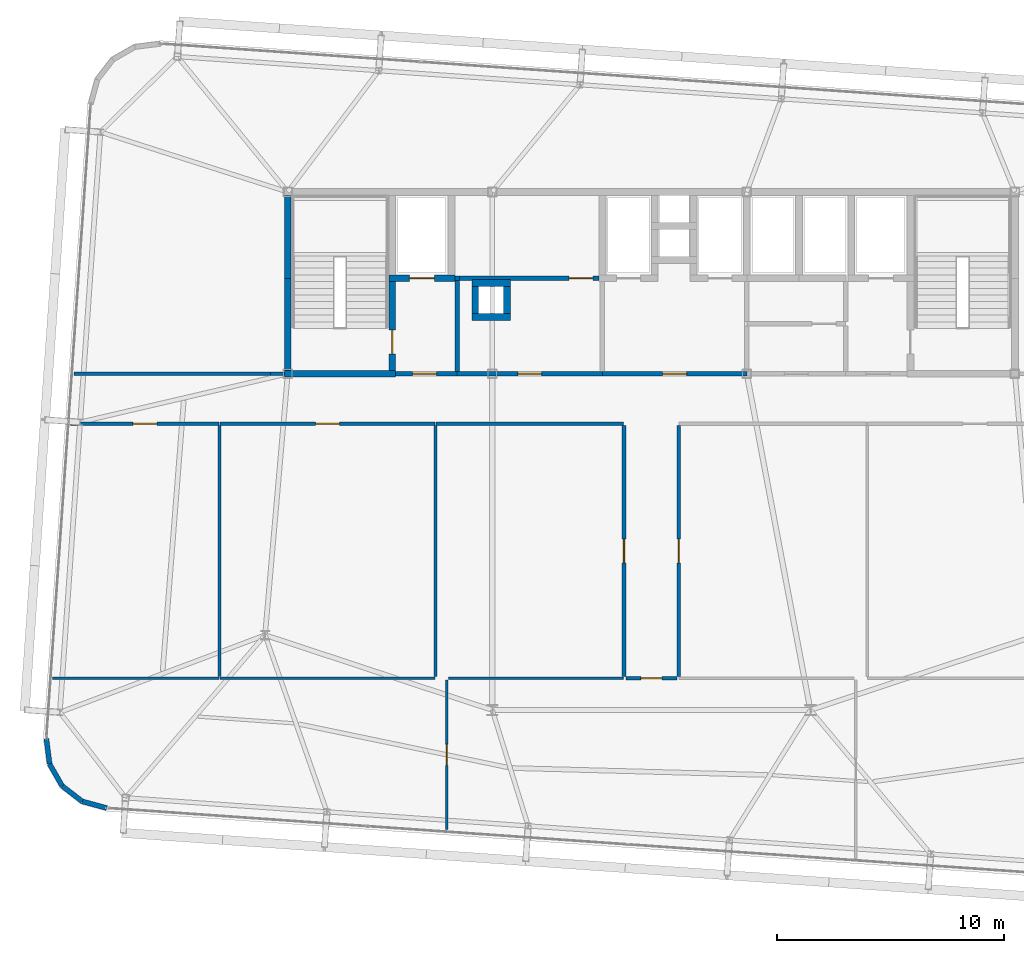
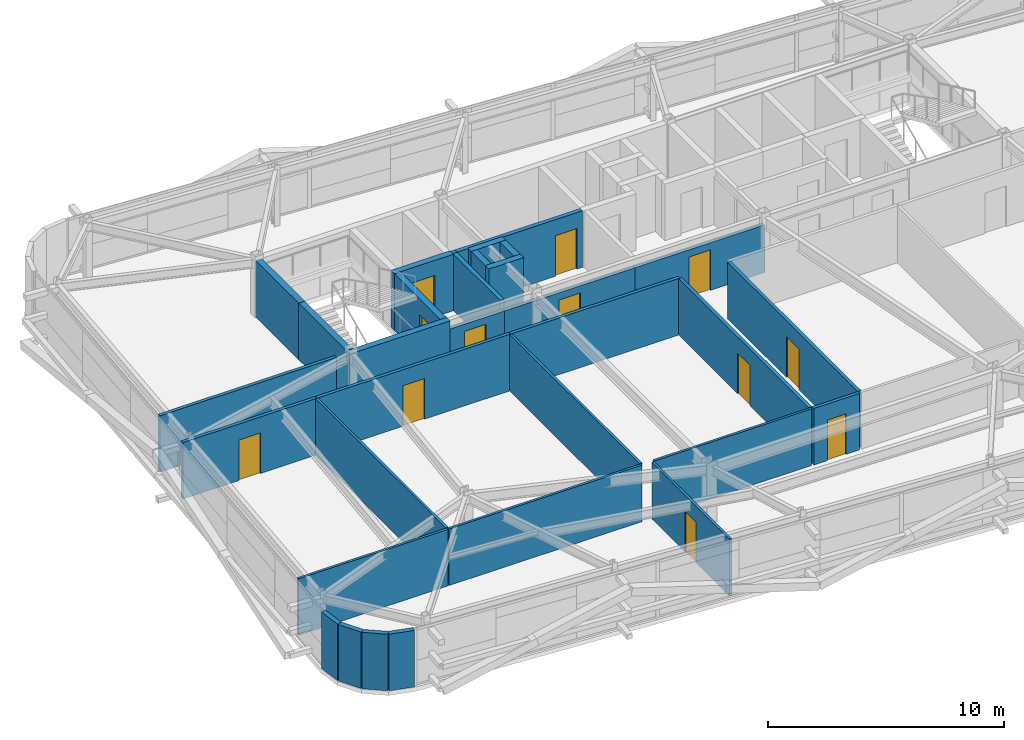
# One storey, part 35 of 39: 33 walls, 12 doors, 12 openings.
"""IFC4 building model written with IfcOpenShell, lengths in metres."""

from ifc_helpers import new_model, si_unit, direction, frame, frame_2d, origin, place, context, subcontext, project, spatial, rectangle, extrude, source, transform, mapped, material, layer, layer_set, type_object, element, fill, save


model = new_model("IFC4")

# Units and contexts
model_context = context("Model", 3, precision=1e-05, world=origin(), true_north=direction((0.0, 1.0)))
body_context = subcontext(model_context, "Body", "Model", "MODEL_VIEW")
ifc_project = project(units=[si_unit("LENGTHUNIT", "METRE"), si_unit("AREAUNIT", "SQUARE_METRE"), si_unit("VOLUMEUNIT", "CUBIC_METRE"), si_unit("PLANEANGLEUNIT", "RADIAN"), si_unit("MASSUNIT", "GRAM", prefix="KILO")], contexts=[model_context])

# Site, building, storey
site_placement = place(None, origin())
site = spatial("IfcSite", under=ifc_project, at=site_placement, CompositionType="ELEMENT")
building_placement = place(site_placement, origin())
building = spatial("IfcBuilding", under=site, at=building_placement, Name="Taldren Reach Tower", CompositionType="ELEMENT")
storey_placement = place(building_placement, frame((0.0, 0.0, 126.699951171875)))
storey = spatial("IfcBuildingStorey", under=building, at=storey_placement, Name="L38", CompositionType="ELEMENT", Elevation=126.699951171875)

# Walls
ifc_material_1 = material(Name="Pale Champagne Anodised Aluminium Cladding", Category="aluminium")
ifc_layer_1 = layer(ifc_material_1, 0.04, Name="Pale Champagne Anodised Aluminium Cladding", Category="aluminium")
ifc_material_2 = material(Name="Mineral Wool Acoustic Insulation", Category="insulation")
ifc_layer_2 = layer(ifc_material_2, 0.06, Name="Mineral Wool Acoustic Insulation", Category="insulation")
ifc_material_3 = material(Name="Steel Gr 350 (C350L0)", Category="steel")
ifc_layer_3 = layer(ifc_material_3, 0.12, Name="Steel Gr 350 (C350L0)", Category="steel")
ifc_layer_set_1 = layer_set([ifc_layer_1, ifc_layer_2, ifc_layer_3], Name="Pale Champagne Aluminium Cladding and Steel Gr 350 Stud Framing")
wall_type_1 = type_object("IfcWallType", Name="EW-CRN-220", PredefinedType="SOLIDWALL", material=ifc_layer_set_1)
shared_shape_1 = source(origin(), body_context, "Body", "SweptSolid", [
    extrude(rectangle(XDim=1.115966796875, YDim=0.219970703125, at=frame_2d((0.55810546875, 0.0))), origin(), (0.0, 0.0, 1.0), 2.929931640625),
])
for number, where, z_axis, x_axis, name in (
    (1, (8.37646484375, 7.93798828125, 0.0), (0.0, 0.0, 1.0), (0.126242535829, -0.991999406324, 0.0), "Rounded-corner pale-metal facade wall L38-SW1"),
    (2, (8.517333984375, 6.8310546875, 0.0), (0.0, 0.0, 1.0), (0.496138938357, -0.868243142124, 0.0), "Rounded-corner pale-metal facade wall L38-SW2"),
    (3, (9.071044921875, 5.862060546875, 0.0), (0.0, 0.0, 1.0), (0.790716874741, -0.612182018684, 0.0), "Rounded-corner pale-metal facade wall L38-SW3"),
    (4, (9.953369140625, 5.178955078125, 0.0), (0.0, 0.0, 1.0), (0.964804199372, -0.262969307856, 0.0), "Rounded-corner pale-metal facade wall L38-SW4"),
):
    element("IfcWall", number, at=place(storey_placement, frame(where, z_axis=z_axis, x_axis=x_axis)), inside=storey, type_object=wall_type_1, Name=name, PredefinedType="SOLIDWALL", context=body_context, shape_type="MappedRepresentation", body=[
        mapped(shared_shape_1, transform((0.0, 0.0, 0.0), scale=1.0)),
    ])
ifc_material_4 = material(Name="Concrete S65 (65 MPa)", Category="concrete")
ifc_layer_4 = layer(ifc_material_4, 0.300048828125)
ifc_layer_set_2 = layer_set([ifc_layer_4], Name="Concrete S65 (65 MPa)")
wall_type_2 = type_object("IfcWallType", Name="IW-CORE-300", PredefinedType="SHEAR", material=ifc_layer_set_2)
shared_shape_2 = source(origin(), body_context, "Body", "SweptSolid", [
    extrude(rectangle(XDim=4.050048828125, YDim=0.300048828125, at=frame_2d((2.02490234375, 0.0))), origin(), (0.0, 0.0, 1.0), 2.929931640625),
])
wall_1_placement = place(storey_placement, frame((19.0, 24.14990234375, 0.0), z_axis=(0.0, 0.0, 1.0), x_axis=(0.0, 1.0, 0.0)))
element("IfcWall", 5, at=wall_1_placement, inside=storey, type_object=wall_type_2, Name="Rear Core Shear Wall W-CORE-L38-WEST1", PredefinedType="SHEAR", context=body_context, shape_type="MappedRepresentation", body=[
    mapped(shared_shape_2, transform((0.0, 0.0, 0.0), scale=1.0)),
])
shared_shape_3 = source(origin(), body_context, "Body", "SweptSolid", [
    extrude(rectangle(XDim=3.650146484375, YDim=0.300048828125, at=frame_2d((1.8251953125, 0.0))), origin(), (0.0, 0.0, 1.0), 2.929931640625),
])
wall_2_placement = place(storey_placement, frame((19.0, 28.199951171875, 0.0), z_axis=(0.0, 0.0, 1.0), x_axis=(0.0, 1.0, 0.0)))
element("IfcWall", 6, at=wall_2_placement, inside=storey, type_object=wall_type_2, Name="Rear Core Shear Wall W-CORE-L38-WEST2", PredefinedType="SHEAR", context=body_context, shape_type="MappedRepresentation", body=[
    mapped(shared_shape_3, transform((0.0, 0.0, 0.0), scale=1.0)),
])

# Wall, opening, door
shared_shape_4 = source(origin(), body_context, "Body", "SweptSolid", [
    extrude(rectangle(XDim=3.900146484375, YDim=0.300048828125, at=frame_2d((1.9501953125, 0.0))), origin(), (0.0, 0.0, 1.0), 2.929931640625),
])
wall_3_placement = place(storey_placement, frame((23.60009765625, 24.14990234375, 0.0), z_axis=(0.0, 0.0, 1.0), x_axis=(0.0, 1.0, 0.0)))
wall_3 = element("IfcWall", 7, at=wall_3_placement, inside=storey, type_object=wall_type_2, Name="Rear Core Shear Wall W-INT-L38-002", PredefinedType="SHEAR", context=body_context, shape_type="MappedRepresentation", body=[
    mapped(shared_shape_4, transform((0.0, 0.0, 0.0), scale=1.0)),
])
shared_shape_5 = source(origin(), body_context, "Body", "SweptSolid", [
    extrude(rectangle(XDim=1.050048828125, YDim=2.10009765625, at=frame_2d((0.52490234375, 1.050048828125))), frame((0.0, 0.16015625, 0.0), z_axis=(0.0, -1.0, 0.0), x_axis=(1.0, 0.0, 0.0)), (0.0, 0.0, 1.0), 0.320068359375),
])
opening_1_placement = place(wall_3_placement, frame((0.72509765625, 0.0, 0.0)))
opening_1 = element("IfcOpeningElement", 8, at=opening_1_placement, cuts=wall_3, Name="Opening DF-105", PredefinedType="OPENING", context=body_context, shape_type="MappedRepresentation", body=[
    mapped(shared_shape_5, transform((0.0, 0.0, 0.0), scale=1.0)),
])
ifc_material_5 = material(Name="Fire-Rated Care and Stair Exit Door")
door_type_1 = type_object("IfcDoorType", Name="ID-FIRE-105", OperationType="NOTDEFINED", PredefinedType="DOOR", material=ifc_material_5)
shared_shape_6 = source(origin(), body_context, "Body", "SweptSolid", [
    extrude(rectangle(XDim=1.050048828125, YDim=2.10009765625, at=frame_2d((0.52490234375, 1.050048828125))), frame((0.0, 0.02490234375, 0.0), z_axis=(0.0, -1.0, 0.0), x_axis=(1.0, 0.0, 0.0)), (0.0, 0.0, 1.0), 0.050048828125),
])
door_1_placement = place(opening_1_placement, origin())
door_1 = element("IfcDoor", 9, at=door_1_placement, inside=storey, type_object=door_type_1, Name="Fire Exit Stair Door DR-L38-001", OperationType="SINGLE_SWING_LEFT", OverallHeight=2.10009765625, OverallWidth=1.050048828125, PredefinedType="DOOR", context=body_context, shape_type="MappedRepresentation", body=[
    mapped(shared_shape_6, transform((0.0, 0.0, 0.0), scale=1.0)),
])
fill(opening_1, door_1)

# Wall
shared_shape_7 = source(origin(), body_context, "Body", "SweptSolid", [
    extrude(rectangle(XDim=4.89990234375, YDim=0.300048828125, at=frame_2d((2.449951171875, 0.0))), origin(), (0.0, 0.0, 1.0), 2.929931640625),
])
wall_4_placement = place(storey_placement, frame((18.85009765625, 24.0, 0.0), z_axis=(0.0, 0.0, 1.0), x_axis=(1.0, 0.0, 0.0)))
element("IfcWall", 10, at=wall_4_placement, inside=storey, type_object=wall_type_2, Name="Rear Core Shear Wall W-INT-L38-003", PredefinedType="SHEAR", context=body_context, shape_type="MappedRepresentation", body=[
    mapped(shared_shape_7, transform((0.0, 0.0, 0.0), scale=1.0)),
])

# Wall, opening, door
shared_shape_8 = source(origin(), body_context, "Body", "SweptSolid", [
    extrude(rectangle(XDim=2.900146484375, YDim=0.300048828125, at=frame_2d((1.4501953125, 0.0))), origin(), (0.0, 0.0, 1.0), 2.929931640625),
])
wall_5_placement = place(storey_placement, frame((23.449951171875, 28.199951171875, 0.0), z_axis=(0.0, 0.0, 1.0), x_axis=(1.0, 0.0, 0.0)))
wall_5 = element("IfcWall", 11, at=wall_5_placement, inside=storey, type_object=wall_type_2, Name="Rear Core Shear Wall W-INT-L38-004", PredefinedType="SHEAR", context=body_context, shape_type="MappedRepresentation", body=[
    mapped(shared_shape_8, transform((0.0, 0.0, 0.0), scale=1.0)),
])
shared_shape_9 = source(origin(), body_context, "Body", "SweptSolid", [
    extrude(rectangle(XDim=1.10009765625, YDim=2.14990234375, at=frame_2d((0.550048828125, 1.074951171875))), frame((0.0, 0.16015625, 0.0), z_axis=(0.0, -1.0, 0.0), x_axis=(1.0, 0.0, 0.0)), (0.0, 0.0, 1.0), 0.320068359375),
])
opening_2_placement = place(wall_5_placement, frame((0.89990234375, 0.0, 0.0)))
opening_2 = element("IfcOpeningElement", 12, at=opening_2_placement, cuts=wall_5, Name="Opening LD-FL1", PredefinedType="OPENING", context=body_context, shape_type="MappedRepresentation", body=[
    mapped(shared_shape_9, transform((0.0, 0.0, 0.0), scale=1.0)),
])
ifc_material_6 = material(Name="Stainless Steel Gr 316 Emergency Lift Landing Door", Category="steel")
door_type_2 = type_object("IfcDoorType", Name="LD-EMG-110", OperationType="SLIDING_TO_LEFT", PredefinedType="DOOR", material=ifc_material_6)
shared_shape_10 = source(origin(), body_context, "Body", "SweptSolid", [
    extrude(rectangle(XDim=1.10009765625, YDim=2.14990234375, at=frame_2d((0.550048828125, 1.074951171875))), frame((0.0, 0.02490234375, 0.0), z_axis=(0.0, -1.0, 0.0), x_axis=(1.0, 0.0, 0.0)), (0.0, 0.0, 1.0), 0.050048828125),
])
door_2_placement = place(opening_2_placement, origin())
door_2 = element("IfcDoor", 13, at=door_2_placement, inside=storey, type_object=door_type_2, Name="Lift Landing Door LD-FL1-L38", OperationType="SLIDING_TO_LEFT", OverallHeight=2.14990234375, OverallWidth=1.10009765625, PredefinedType="DOOR", context=body_context, shape_type="MappedRepresentation", body=[
    mapped(shared_shape_10, transform((0.0, 0.0, 0.0), scale=1.0)),
])
fill(opening_2, door_2)

ifc_material_7 = material(Name="Concrete S50 (50 MPa)", Category="concrete")
ifc_layer_5 = layer(ifc_material_7, 0.199951171875)
ifc_layer_set_3 = layer_set([ifc_layer_5], Name="Concrete S50 (50 MPa)")
wall_type_3 = type_object("IfcWallType", Name="IW-CORE-200", PredefinedType="SOLIDWALL", material=ifc_layer_set_3)
shared_shape_11 = source(origin(), body_context, "Body", "SweptSolid", [
    extrude(rectangle(XDim=2.699951171875, YDim=0.199951171875, at=frame_2d((1.35009765625, 0.0))), origin(), (0.0, 0.0, 1.0), 2.469970703125),
])
wall_6_placement = place(storey_placement, frame((23.75, 24.0, 0.0), z_axis=(0.0, 0.0, 1.0), x_axis=(1.0, 0.0, 0.0)))
wall_6 = element("IfcWall", 14, at=wall_6_placement, inside=storey, type_object=wall_type_3, Name="Rear Core Shear Wall W-INT-L38-007", PredefinedType="SOLIDWALL", context=body_context, shape_type="MappedRepresentation", body=[
    mapped(shared_shape_11, transform((0.0, 0.0, 0.0), scale=1.0)),
])
shared_shape_12 = source(origin(), body_context, "Body", "SweptSolid", [
    extrude(rectangle(XDim=1.050048828125, YDim=2.10009765625, at=frame_2d((0.52490234375, 1.050048828125))), frame((0.0, 0.10986328125, 0.0), z_axis=(0.0, -1.0, 0.0), x_axis=(1.0, 0.0, 0.0)), (0.0, 0.0, 1.0), 0.219970703125),
])
opening_3_placement = place(wall_6_placement, frame((0.75, 0.0, 0.0)))
opening_3 = element("IfcOpeningElement", 15, at=opening_3_placement, cuts=wall_6, Name="Opening DF-105", PredefinedType="OPENING", context=body_context, shape_type="MappedRepresentation", body=[
    mapped(shared_shape_12, transform((0.0, 0.0, 0.0), scale=1.0)),
])
door_3_placement = place(opening_3_placement, origin())
door_3 = element("IfcDoor", 16, at=door_3_placement, inside=storey, type_object=door_type_1, Name="Interior Door DR-L38-002", OperationType="SINGLE_SWING_LEFT", OverallHeight=2.10009765625, OverallWidth=1.050048828125, PredefinedType="DOOR", context=body_context, shape_type="MappedRepresentation", body=[
    mapped(shared_shape_6, transform((0.0, 0.0, 0.0), scale=1.0)),
])
fill(opening_3, door_3)

# Walls
shared_shape_13 = source(origin(), body_context, "Body", "SweptSolid", [
    extrude(rectangle(XDim=1.2001953125, YDim=0.300048828125, at=frame_2d((0.60009765625, 0.0))), origin(), (0.0, 0.0, 1.0), 2.929931640625),
])
for number, where, z_axis, x_axis, name in (
    (17, (28.64990234375, 26.64990234375, 0.0), (0.0, 0.0, 1.0), (0.0, 1.0, 0.0), "Rear Core Shear Wall W-INT-L38-022"),
    (18, (27.25, 27.85009765625, 0.0), (0.0, 0.0, 1.0), (0.0, -1.0, 0.0), "Rear Core Shear Wall W-INT-L38-023"),
):
    element("IfcWall", number, at=place(storey_placement, frame(where, z_axis=z_axis, x_axis=x_axis)), inside=storey, type_object=wall_type_2, Name=name, PredefinedType="SHEAR", context=body_context, shape_type="MappedRepresentation", body=[
        mapped(shared_shape_13, transform((0.0, 0.0, 0.0), scale=1.0)),
    ])
shared_shape_14 = source(origin(), body_context, "Body", "SweptSolid", [
    extrude(rectangle(XDim=4.0, YDim=0.199951171875, at=frame_2d((2.0, 0.0))), origin(), (0.0, 0.0, 1.0), 2.929931640625),
])
wall_7_placement = place(storey_placement, frame((26.449951171875, 24.10009765625, 0.0), z_axis=(0.0, 0.0, 1.0), x_axis=(0.0, 1.0, 0.0)))
element("IfcWall", 19, at=wall_7_placement, inside=storey, type_object=wall_type_3, Name="Rear Core Shear Wall W-INT-L38-006", PredefinedType="SOLIDWALL", context=body_context, shape_type="MappedRepresentation", body=[
    mapped(shared_shape_14, transform((0.0, 0.0, 0.0), scale=1.0)),
])
shared_shape_15 = source(origin(), body_context, "Body", "SweptSolid", [
    extrude(rectangle(XDim=1.699951171875, YDim=0.300048828125, at=frame_2d((0.85009765625, 0.0))), origin(), (0.0, 0.0, 1.0), 2.929931640625),
])
for number, where, z_axis, x_axis, name in (
    (20, (28.800048828125, 28.0, 0.0), (0.0, 0.0, 1.0), (-1.0, 0.0, 0.0), "Rear Core Shear Wall W-INT-L38-024"),
    (21, (27.10009765625, 26.5, 0.0), (0.0, 0.0, 1.0), (1.0, 0.0, 0.0), "Rear Core Shear Wall W-INT-L38-025"),
):
    element("IfcWall", number, at=place(storey_placement, frame(where, z_axis=z_axis, x_axis=x_axis)), inside=storey, type_object=wall_type_2, Name=name, PredefinedType="SHEAR", context=body_context, shape_type="MappedRepresentation", body=[
        mapped(shared_shape_15, transform((0.0, 0.0, 0.0), scale=1.0)),
    ])

# Wall, opening, door
shared_shape_16 = source(origin(), body_context, "Body", "SweptSolid", [
    extrude(rectangle(XDim=6.349853515625, YDim=0.199951171875, at=frame_2d((3.1748046875, 0.0))), origin(), (0.0, 0.0, 1.0), 2.469970703125),
])
wall_8_placement = place(storey_placement, frame((39.199951171875, 24.0, 0.0), z_axis=(0.0, 0.0, 1.0), x_axis=(-1.0, 0.0, 0.0)))
wall_8 = element("IfcWall", 22, at=wall_8_placement, inside=storey, type_object=wall_type_3, Name="Rear Core Shear Wall W-INT-L38-035", PredefinedType="SOLIDWALL", context=body_context, shape_type="MappedRepresentation", body=[
    mapped(shared_shape_16, transform((0.0, 0.0, 0.0), scale=1.0)),
])
opening_4_placement = place(wall_8_placement, frame((2.64990234375, 0.0, 0.0)))
opening_4 = element("IfcOpeningElement", 23, at=opening_4_placement, cuts=wall_8, Name="Opening DF-105", PredefinedType="OPENING", context=body_context, shape_type="MappedRepresentation", body=[
    mapped(shared_shape_12, transform((0.0, 0.0, 0.0), scale=1.0)),
])
door_4_placement = place(opening_4_placement, frame((1.050048828125, 0.0, 0.0), z_axis=(0.0, 0.0, 1.0), x_axis=(-1.0, 0.0, 0.0)))
door_4 = element("IfcDoor", 24, at=door_4_placement, inside=storey, type_object=door_type_1, Name="Interior Door DR-L38-005", OperationType="SINGLE_SWING_LEFT", OverallHeight=2.10009765625, OverallWidth=1.050048828125, PredefinedType="DOOR", context=body_context, shape_type="MappedRepresentation", body=[
    mapped(shared_shape_6, transform((0.0, 0.0, 0.0), scale=1.0)),
])
fill(opening_4, door_4)

# Walls
ifc_material_8 = material(Name="Fire-Rated Acoustic Plasterboard Stud Wall", Category="gypsum")
ifc_layer_6 = layer(ifc_material_8, 0.159912109375)
ifc_layer_set_4 = layer_set([ifc_layer_6], Name="Fire-Rated Acoustic Plasterboard Stud Wall")
wall_type_4 = type_object("IfcWallType", Name="IW-FIRE-160", PredefinedType="PARTITIONING", material=ifc_layer_set_4)
shared_shape_17 = source(origin(), body_context, "Body", "SweptSolid", [
    extrude(rectangle(XDim=8.65234375, YDim=0.159912109375, at=frame_2d((4.326171875, 0.0))), origin(), (0.0, 0.0, 1.0), 2.929931640625),
])
wall_9_placement = place(storey_placement, frame((9.584228515625, 24.0, 0.0), z_axis=(0.0, 0.0, 1.0), x_axis=(1.0, 0.0, 0.0)))
element("IfcWall", 25, at=wall_9_placement, inside=storey, type_object=wall_type_4, Name="Interior Partition Wall W-INT-L38-050", PredefinedType="PARTITIONING", context=body_context, shape_type="MappedRepresentation", body=[
    mapped(shared_shape_17, transform((0.0, 0.0, 0.0), scale=1.0)),
])
shared_shape_18 = source(origin(), body_context, "Body", "SweptSolid", [
    extrude(rectangle(XDim=0.613525390625, YDim=0.159912109375, at=frame_2d((0.306640625, 0.0))), origin(), (0.0, 0.0, 1.0), 2.469970703125),
])
wall_10_placement = place(storey_placement, frame((18.236572265625, 24.0, 0.0), z_axis=(0.0, 0.0, 1.0), x_axis=(1.0, 0.0, 0.0)))
element("IfcWall", 26, at=wall_10_placement, inside=storey, type_object=wall_type_4, Name="Interior Partition Wall W-INT-L38-050 part 2", PredefinedType="PARTITIONING", context=body_context, shape_type="MappedRepresentation", body=[
    mapped(shared_shape_18, transform((0.0, 0.0, 0.0), scale=1.0)),
])
shared_shape_19 = source(origin(), body_context, "Body", "SweptSolid", [
    extrude(rectangle(XDim=0.199951171875, YDim=0.199951171875, at=frame_2d((0.10009765625, 0.0))), origin(), (0.0, 0.0, 1.0), 2.929931640625),
])
wall_11_placement = place(storey_placement, frame((26.35009765625, 28.199951171875, 0.0), z_axis=(0.0, 0.0, 1.0), x_axis=(1.0, 0.0, 0.0)))
element("IfcWall", 27, at=wall_11_placement, inside=storey, type_object=wall_type_3, Name="Rear Core Partition Wall W-INT-L38-066", PredefinedType="SOLIDWALL", context=body_context, shape_type="MappedRepresentation", body=[
    mapped(shared_shape_19, transform((0.0, 0.0, 0.0), scale=1.0)),
])

# Wall, opening, door
shared_shape_20 = source(origin(), body_context, "Body", "SweptSolid", [
    extrude(rectangle(XDim=6.25, YDim=0.199951171875, at=frame_2d((3.125, 0.0))), origin(), (0.0, 0.0, 1.0), 2.929931640625),
])
wall_12_placement = place(storey_placement, frame((26.449951171875, 28.199951171875, 0.0), z_axis=(0.0, 0.0, 1.0), x_axis=(1.0, 0.0, 0.0)))
wall_12 = element("IfcWall", 28, at=wall_12_placement, inside=storey, type_object=wall_type_3, Name="Rear Core Shear Wall W-INT-L38-039", PredefinedType="SOLIDWALL", context=body_context, shape_type="MappedRepresentation", body=[
    mapped(shared_shape_20, transform((0.0, 0.0, 0.0), scale=1.0)),
])
opening_5_placement = place(wall_12_placement, frame((4.929931640625, 0.0, 0.0)))
opening_5 = element("IfcOpeningElement", 29, at=opening_5_placement, cuts=wall_12, Name="Opening DF-105", PredefinedType="OPENING", context=body_context, shape_type="MappedRepresentation", body=[
    mapped(shared_shape_12, transform((0.0, 0.0, 0.0), scale=1.0)),
])
door_5_placement = place(opening_5_placement, origin())
door_5 = element("IfcDoor", 30, at=door_5_placement, inside=storey, type_object=door_type_1, Name="Interior Door DR-L38-006", OperationType="SINGLE_SWING_RIGHT", OverallHeight=2.10009765625, OverallWidth=1.050048828125, PredefinedType="DOOR", context=body_context, shape_type="MappedRepresentation", body=[
    mapped(shared_shape_6, transform((0.0, 0.0, 0.0), scale=1.0)),
])
fill(opening_5, door_5)

shared_shape_21 = source(origin(), body_context, "Body", "SweptSolid", [
    extrude(rectangle(XDim=6.400146484375, YDim=0.199951171875, at=frame_2d((3.2001953125, 0.0))), origin(), (0.0, 0.0, 1.0), 2.469970703125),
])
wall_13_placement = place(storey_placement, frame((32.85009765625, 24.0, 0.0), z_axis=(0.0, 0.0, 1.0), x_axis=(-1.0, 0.0, 0.0)))
wall_13 = element("IfcWall", 31, at=wall_13_placement, inside=storey, type_object=wall_type_3, Name="Rear Core Shear Wall W-INT-L38-040", PredefinedType="SOLIDWALL", context=body_context, shape_type="MappedRepresentation", body=[
    mapped(shared_shape_21, transform((0.0, 0.0, 0.0), scale=1.0)),
])
opening_6_placement = place(wall_13_placement, frame((2.675048828125, 0.0, 0.0)))
opening_6 = element("IfcOpeningElement", 32, at=opening_6_placement, cuts=wall_13, Name="Opening DF-105", PredefinedType="OPENING", context=body_context, shape_type="MappedRepresentation", body=[
    mapped(shared_shape_12, transform((0.0, 0.0, 0.0), scale=1.0)),
])
door_6_placement = place(opening_6_placement, frame((1.050048828125, 0.0, 0.0), z_axis=(0.0, 0.0, 1.0), x_axis=(-1.0, 0.0, 0.0)))
door_6 = element("IfcDoor", 33, at=door_6_placement, inside=storey, type_object=door_type_1, Name="Interior Door DR-L38-007", OperationType="SINGLE_SWING_LEFT", OverallHeight=2.10009765625, OverallWidth=1.050048828125, PredefinedType="DOOR", context=body_context, shape_type="MappedRepresentation", body=[
    mapped(shared_shape_6, transform((0.0, 0.0, 0.0), scale=1.0)),
])
fill(opening_6, door_6)

shared_shape_22 = source(origin(), body_context, "Body", "SweptSolid", [
    extrude(rectangle(XDim=6.538330078125, YDim=0.159912109375, at=frame_2d((3.26904296875, 0.0))), origin(), (0.0, 0.0, 1.0), 2.929931640625),
])
wall_14_placement = place(storey_placement, frame((15.979736328125, 21.800048828125, 0.0), z_axis=(0.0, 0.0, 1.0), x_axis=(-1.0, 0.0, 0.0)))
wall_14 = element("IfcWall", 34, at=wall_14_placement, inside=storey, type_object=wall_type_4, Name="Interior Partition Wall W-INT-L38-043", PredefinedType="PARTITIONING", context=body_context, shape_type="MappedRepresentation", body=[
    mapped(shared_shape_22, transform((0.0, 0.0, 0.0), scale=1.0)),
])
shared_shape_23 = source(origin(), body_context, "Body", "SweptSolid", [
    extrude(rectangle(XDim=1.050048828125, YDim=2.10009765625, at=frame_2d((0.52490234375, 1.050048828125))), frame((0.0, 0.08984375, 0.0), z_axis=(0.0, -1.0, 0.0), x_axis=(1.0, 0.0, 0.0)), (0.0, 0.0, 1.0), 0.179931640625),
])
opening_7_placement = place(wall_14_placement, frame((2.744140625, 0.0, 0.0)))
opening_7 = element("IfcOpeningElement", 35, at=opening_7_placement, cuts=wall_14, Name="Opening DF-105", PredefinedType="OPENING", context=body_context, shape_type="MappedRepresentation", body=[
    mapped(shared_shape_23, transform((0.0, 0.0, 0.0), scale=1.0)),
])
door_7_placement = place(opening_7_placement, origin())
door_7 = element("IfcDoor", 36, at=door_7_placement, inside=storey, type_object=door_type_1, Name="Interior Door DR-L38-010", OperationType="SINGLE_SWING_LEFT", OverallHeight=2.10009765625, OverallWidth=1.050048828125, PredefinedType="DOOR", context=body_context, shape_type="MappedRepresentation", body=[
    mapped(shared_shape_6, transform((0.0, 0.0, 0.0), scale=1.0)),
])
fill(opening_7, door_7)

shared_shape_24 = source(origin(), body_context, "Body", "SweptSolid", [
    extrude(rectangle(XDim=9.45947265625, YDim=0.159912109375, at=frame_2d((4.729736328125, 0.0))), origin(), (0.0, 0.0, 1.0), 2.929931640625),
])
wall_15_placement = place(storey_placement, frame((25.479736328125, 21.800048828125, 0.0), z_axis=(0.0, 0.0, 1.0), x_axis=(-1.0, 0.0, 0.0)))
wall_15 = element("IfcWall", 37, at=wall_15_placement, inside=storey, type_object=wall_type_4, Name="Interior Partition Wall W-INT-L38-044", PredefinedType="PARTITIONING", context=body_context, shape_type="MappedRepresentation", body=[
    mapped(shared_shape_24, transform((0.0, 0.0, 0.0), scale=1.0)),
])
opening_8_placement = place(wall_15_placement, frame((4.20458984375, 0.0, 0.0)))
opening_8 = element("IfcOpeningElement", 38, at=opening_8_placement, cuts=wall_15, Name="Opening DF-105", PredefinedType="OPENING", context=body_context, shape_type="MappedRepresentation", body=[
    mapped(shared_shape_23, transform((0.0, 0.0, 0.0), scale=1.0)),
])
door_8_placement = place(opening_8_placement, origin())
door_8 = element("IfcDoor", 39, at=door_8_placement, inside=storey, type_object=door_type_1, Name="Interior Door DR-L38-011", OperationType="SINGLE_SWING_RIGHT", OverallHeight=2.10009765625, OverallWidth=1.050048828125, PredefinedType="DOOR", context=body_context, shape_type="MappedRepresentation", body=[
    mapped(shared_shape_6, transform((0.0, 0.0, 0.0), scale=1.0)),
])
fill(opening_8, door_8)

# Wall
shared_shape_25 = source(origin(), body_context, "Body", "SweptSolid", [
    extrude(rectangle(XDim=8.259521484375, YDim=0.159912109375, at=frame_2d((4.1298828125, 0.0))), origin(), (0.0, 0.0, 1.0), 2.929931640625),
])
wall_16_placement = place(storey_placement, frame((33.77978515625, 21.800048828125, 0.0), z_axis=(0.0, 0.0, 1.0), x_axis=(-1.0, 0.0, 0.0)))
element("IfcWall", 40, at=wall_16_placement, inside=storey, type_object=wall_type_4, Name="Interior Partition Wall W-INT-L38-045", PredefinedType="PARTITIONING", context=body_context, shape_type="MappedRepresentation", body=[
    mapped(shared_shape_25, transform((0.0, 0.0, 0.0), scale=1.0)),
])

# Wall, opening, door
shared_shape_26 = source(origin(), body_context, "Body", "SweptSolid", [
    extrude(rectangle(XDim=2.240234375, YDim=0.159912109375, at=frame_2d((1.1201171875, 0.0))), origin(), (0.0, 0.0, 1.0), 2.929931640625),
])
wall_17_placement = place(storey_placement, frame((36.1201171875, 10.60009765625, 0.0), z_axis=(0.0, 0.0, 1.0), x_axis=(-1.0, 0.0, 0.0)))
wall_17 = element("IfcWall", 41, at=wall_17_placement, inside=storey, type_object=wall_type_4, Name="Interior Partition Wall W-INT-L38-051", PredefinedType="PARTITIONING", context=body_context, shape_type="MappedRepresentation", body=[
    mapped(shared_shape_26, transform((0.0, 0.0, 0.0), scale=1.0)),
])
shared_shape_27 = source(origin(), body_context, "Body", "SweptSolid", [
    extrude(rectangle(XDim=0.919921875, YDim=2.10009765625, at=frame_2d((0.4599609375, 1.050048828125))), frame((0.0, 0.08984375, 0.0), z_axis=(0.0, -1.0, 0.0), x_axis=(1.0, 0.0, 0.0)), (0.0, 0.0, 1.0), 0.179931640625),
])
opening_9_placement = place(wall_17_placement, frame((0.659912109375, 0.0, 0.0)))
opening_9 = element("IfcOpeningElement", 42, at=opening_9_placement, cuts=wall_17, Name="Opening DI-092", PredefinedType="OPENING", context=body_context, shape_type="MappedRepresentation", body=[
    mapped(shared_shape_27, transform((0.0, 0.0, 0.0), scale=1.0)),
])
ifc_material_9 = material(Name="Solid-Core Timber Suite Door", Category="wood")
door_type_3 = type_object("IfcDoorType", Name="ID-INT-092", OperationType="NOTDEFINED", PredefinedType="DOOR", material=ifc_material_9)
shared_shape_28 = source(origin(), body_context, "Body", "SweptSolid", [
    extrude(rectangle(XDim=0.919921875, YDim=2.10009765625, at=frame_2d((0.4599609375, 1.050048828125))), frame((0.0, 0.02490234375, 0.0), z_axis=(0.0, -1.0, 0.0), x_axis=(1.0, 0.0, 0.0)), (0.0, 0.0, 1.0), 0.050048828125),
])
door_9_placement = place(opening_9_placement, origin())
door_9 = element("IfcDoor", 43, at=door_9_placement, inside=storey, type_object=door_type_3, Name="Interior Door DR-L38-015", OperationType="SINGLE_SWING_RIGHT", OverallHeight=2.10009765625, OverallWidth=0.919921875, PredefinedType="DOOR", context=body_context, shape_type="MappedRepresentation", body=[
    mapped(shared_shape_28, transform((0.0, 0.0, 0.0), scale=1.0)),
])
fill(opening_9, door_9)

shared_shape_29 = source(origin(), body_context, "Body", "SweptSolid", [
    extrude(rectangle(XDim=11.0400390625, YDim=0.159912109375, at=frame_2d((5.52001953125, 0.0))), origin(), (0.0, 0.0, 1.0), 2.929931640625),
])
wall_18_placement = place(storey_placement, frame((33.800048828125, 10.679931640625, 0.0), z_axis=(0.0, 0.0, 1.0), x_axis=(0.0, 1.0, 0.0)))
wall_18 = element("IfcWall", 44, at=wall_18_placement, inside=storey, type_object=wall_type_4, Name="Interior Partition Wall W-INT-L38-052", PredefinedType="PARTITIONING", context=body_context, shape_type="MappedRepresentation", body=[
    mapped(shared_shape_29, transform((0.0, 0.0, 0.0), scale=1.0)),
])
opening_10_placement = place(wall_18_placement, frame((4.9951171875, 0.0, 0.0)))
opening_10 = element("IfcOpeningElement", 45, at=opening_10_placement, cuts=wall_18, Name="Opening DF-105", PredefinedType="OPENING", context=body_context, shape_type="MappedRepresentation", body=[
    mapped(shared_shape_23, transform((0.0, 0.0, 0.0), scale=1.0)),
])
door_10_placement = place(opening_10_placement, origin())
door_10 = element("IfcDoor", 46, at=door_10_placement, inside=storey, type_object=door_type_1, Name="Interior Door DR-L38-016", OperationType="SINGLE_SWING_LEFT", OverallHeight=2.10009765625, OverallWidth=1.050048828125, PredefinedType="DOOR", context=body_context, shape_type="MappedRepresentation", body=[
    mapped(shared_shape_6, transform((0.0, 0.0, 0.0), scale=1.0)),
])
fill(opening_10, door_10)

wall_19_placement = place(storey_placement, frame((36.199951171875, 21.719970703125, 0.0), z_axis=(0.0, 0.0, 1.0), x_axis=(0.0, -1.0, 0.0)))
wall_19 = element("IfcWall", 47, at=wall_19_placement, inside=storey, type_object=wall_type_4, Name="Interior Partition Wall W-INT-L38-053", PredefinedType="PARTITIONING", context=body_context, shape_type="MappedRepresentation", body=[
    mapped(shared_shape_29, transform((0.0, 0.0, 0.0), scale=1.0)),
])
opening_11_placement = place(wall_19_placement, frame((4.9951171875, 0.0, 0.0)))
opening_11 = element("IfcOpeningElement", 48, at=opening_11_placement, cuts=wall_19, Name="Opening DF-105", PredefinedType="OPENING", context=body_context, shape_type="MappedRepresentation", body=[
    mapped(shared_shape_23, transform((0.0, 0.0, 0.0), scale=1.0)),
])
door_11_placement = place(opening_11_placement, origin())
door_11 = element("IfcDoor", 49, at=door_11_placement, inside=storey, type_object=door_type_1, Name="Interior Door DR-L38-017", OperationType="SINGLE_SWING_RIGHT", OverallHeight=2.10009765625, OverallWidth=1.050048828125, PredefinedType="DOOR", context=body_context, shape_type="MappedRepresentation", body=[
    mapped(shared_shape_6, transform((0.0, 0.0, 0.0), scale=1.0)),
])
fill(opening_11, door_11)

ifc_material_10 = material(Name="Insulated Residential Stud Partition", Category="gypsum")
ifc_layer_7 = layer(ifc_material_10, 0.1201171875)
ifc_layer_set_5 = layer_set([ifc_layer_7], Name="Insulated Residential Stud Partition")
wall_type_5 = type_object("IfcWallType", Name="IW-PART-120", PredefinedType="PARTITIONING", material=ifc_layer_set_5)
shared_shape_30 = source(origin(), body_context, "Body", "SweptSolid", [
    extrude(rectangle(XDim=6.58544921875, YDim=0.1201171875, at=frame_2d((3.292724609375, 0.0))), origin(), (0.0, 0.0, 1.0), 2.929931640625),
])
wall_20_placement = place(storey_placement, frame((26.0, 10.52001953125, 0.0), z_axis=(0.0, 0.0, 1.0), x_axis=(0.0, -1.0, 0.0)))
wall_20 = element("IfcWall", 50, at=wall_20_placement, inside=storey, type_object=wall_type_5, Name="Interior Partition Wall W-INT-L38-054", PredefinedType="PARTITIONING", context=body_context, shape_type="MappedRepresentation", body=[
    mapped(shared_shape_30, transform((0.0, 0.0, 0.0), scale=1.0)),
])
shared_shape_31 = source(origin(), body_context, "Body", "SweptSolid", [
    extrude(rectangle(XDim=0.919921875, YDim=2.10009765625, at=frame_2d((0.4599609375, 1.050048828125))), frame((0.0, 0.070068359375, 0.0), z_axis=(0.0, -1.0, 0.0), x_axis=(1.0, 0.0, 0.0)), (0.0, 0.0, 1.0), 0.14013671875),
])
opening_12_placement = place(wall_20_placement, frame((2.832763671875, 0.0, 0.0)))
opening_12 = element("IfcOpeningElement", 51, at=opening_12_placement, cuts=wall_20, Name="Opening DI-092", PredefinedType="OPENING", context=body_context, shape_type="MappedRepresentation", body=[
    mapped(shared_shape_31, transform((0.0, 0.0, 0.0), scale=1.0)),
])
door_12_placement = place(opening_12_placement, frame((0.919921875, 0.0, 0.0), z_axis=(0.0, 0.0, 1.0), x_axis=(-1.0, 0.0, 0.0)))
door_12 = element("IfcDoor", 52, at=door_12_placement, inside=storey, type_object=door_type_3, Name="Interior Door DR-L38-018", OperationType="SINGLE_SWING_RIGHT", OverallHeight=2.10009765625, OverallWidth=0.919921875, PredefinedType="DOOR", context=body_context, shape_type="MappedRepresentation", body=[
    mapped(shared_shape_28, transform((0.0, 0.0, 0.0), scale=1.0)),
])
fill(opening_12, door_12)

# Walls
shared_shape_32 = source(origin(), body_context, "Body", "SweptSolid", [
    extrude(rectangle(XDim=7.33251953125, YDim=0.1201171875, at=frame_2d((3.666259765625, 0.0))), origin(), (0.0, 0.0, 1.0), 2.929931640625),
])
wall_21_placement = place(storey_placement, frame((8.647216796875, 10.60009765625, 0.0), z_axis=(0.0, 0.0, 1.0), x_axis=(1.0, 0.0, 0.0)))
element("IfcWall", 53, at=wall_21_placement, inside=storey, type_object=wall_type_5, Name="Interior Partition Wall W-INT-L38-055", PredefinedType="PARTITIONING", context=body_context, shape_type="MappedRepresentation", body=[
    mapped(shared_shape_32, transform((0.0, 0.0, 0.0), scale=1.0)),
])
shared_shape_33 = source(origin(), body_context, "Body", "SweptSolid", [
    extrude(rectangle(XDim=9.45947265625, YDim=0.1201171875, at=frame_2d((4.729736328125, 0.0))), origin(), (0.0, 0.0, 1.0), 2.929931640625),
])
wall_22_placement = place(storey_placement, frame((16.020263671875, 10.60009765625, 0.0), z_axis=(0.0, 0.0, 1.0), x_axis=(1.0, 0.0, 0.0)))
element("IfcWall", 54, at=wall_22_placement, inside=storey, type_object=wall_type_5, Name="Interior Partition Wall W-INT-L38-056", PredefinedType="PARTITIONING", context=body_context, shape_type="MappedRepresentation", body=[
    mapped(shared_shape_33, transform((0.0, 0.0, 0.0), scale=1.0)),
])
shared_shape_34 = source(origin(), body_context, "Body", "SweptSolid", [
    extrude(rectangle(XDim=7.69970703125, YDim=0.1201171875, at=frame_2d((3.849853515625, 0.0))), origin(), (0.0, 0.0, 1.0), 2.929931640625),
])
wall_23_placement = place(storey_placement, frame((26.080078125, 10.60009765625, 0.0), z_axis=(0.0, 0.0, 1.0), x_axis=(1.0, 0.0, 0.0)))
element("IfcWall", 55, at=wall_23_placement, inside=storey, type_object=wall_type_5, Name="Interior Partition Wall W-INT-L38-058", PredefinedType="PARTITIONING", context=body_context, shape_type="MappedRepresentation", body=[
    mapped(shared_shape_34, transform((0.0, 0.0, 0.0), scale=1.0)),
])
shared_shape_35 = source(origin(), body_context, "Body", "SweptSolid", [
    extrude(rectangle(XDim=11.0361328125, YDim=0.1201171875, at=frame_2d((5.51806640625, 0.0))), origin(), (0.0, 0.0, 1.0), 2.929931640625),
])
for number, where, z_axis, x_axis, name in (
    (56, (16.0, 21.718017578125, 0.0), (0.0, 0.0, 1.0), (0.0, -1.0, 0.0), "Interior Partition Wall W-INT-L38-062"),
    (57, (25.5, 21.718017578125, 0.0), (0.0, 0.0, 1.0), (0.0, -1.0, 0.0), "Interior Partition Wall W-INT-L38-063"),
):
    element("IfcWall", number, at=place(storey_placement, frame(where, z_axis=z_axis, x_axis=x_axis)), inside=storey, type_object=wall_type_5, Name=name, PredefinedType="PARTITIONING", context=body_context, shape_type="MappedRepresentation", body=[
        mapped(shared_shape_35, transform((0.0, 0.0, 0.0), scale=1.0)),
    ])

save(model, "model.ifc")
